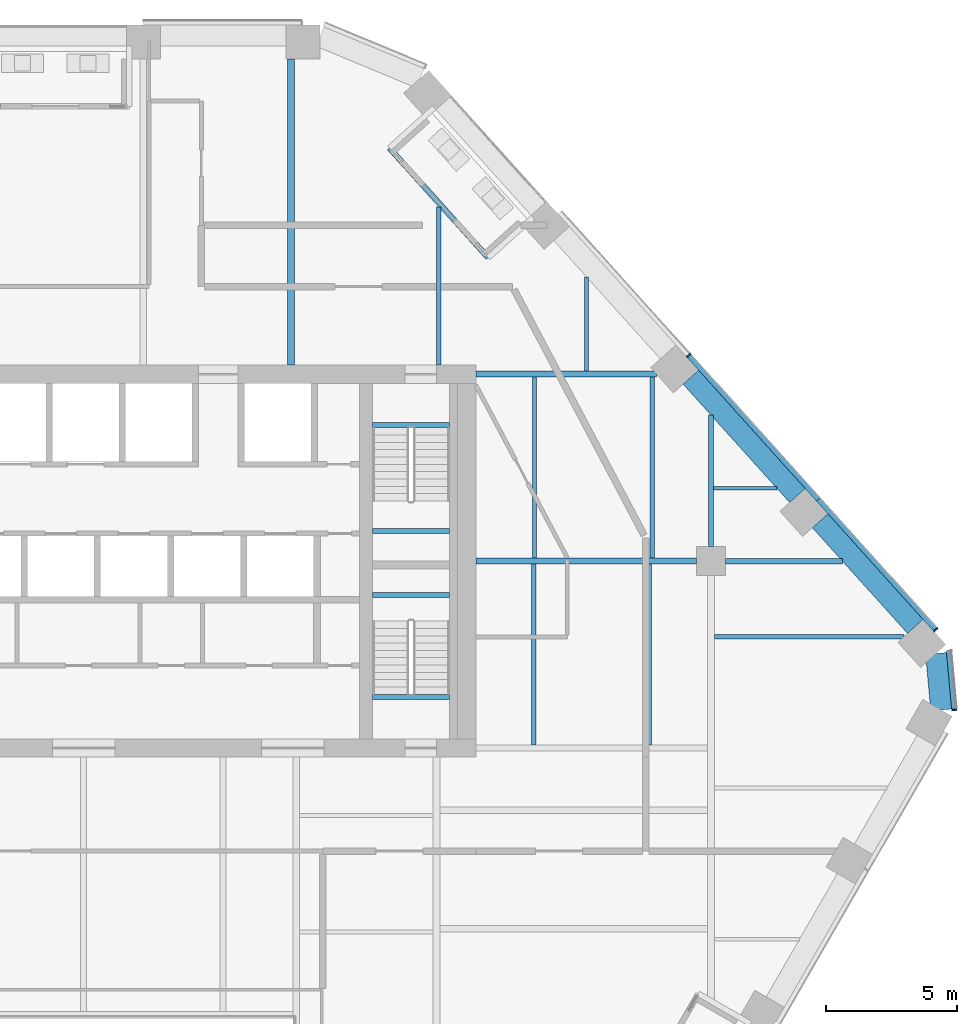
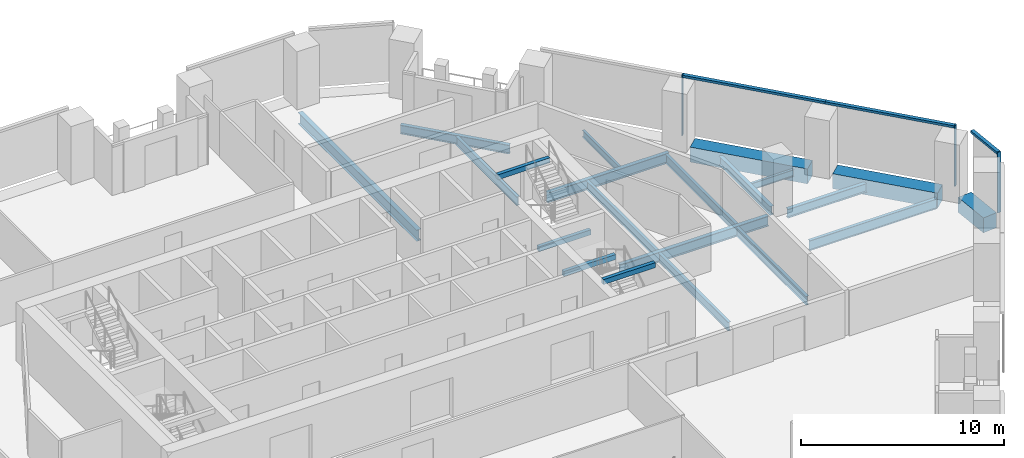
# One storey, part 9 of 25: 21 beams, 6 members, 2 elements without a shape of their own.
"""IFC4 building model written with IfcOpenShell, lengths in metres."""

from ifc_helpers import new_model, si_unit, direction, frame, origin, origin_2d, place, context, subcontext, project, spatial, rectangle, i_section, extrude, material, layer, layer_set, material_profile, profile_set, type_object, element, aggregate, save


model = new_model("IFC4")

# Units and contexts
model_context = context("Model", 3, precision=1e-05, world=origin(), true_north=direction((0.0, 1.0)))
body_context = subcontext(model_context, "Body", "Model", "MODEL_VIEW")
ifc_project = project(units=[si_unit("LENGTHUNIT", "METRE"), si_unit("AREAUNIT", "SQUARE_METRE"), si_unit("VOLUMEUNIT", "CUBIC_METRE"), si_unit("PLANEANGLEUNIT", "RADIAN"), si_unit("MASSUNIT", "GRAM", prefix="KILO")], contexts=[model_context])

# Site, building, storey
site_placement = place(None, origin())
site = spatial("IfcSite", under=ifc_project, at=site_placement, CompositionType="ELEMENT")
building_placement = place(site_placement, origin())
building = spatial("IfcBuilding", under=site, at=building_placement, Name="Isthmus Gate Tower", CompositionType="ELEMENT")
storey_placement = place(building_placement, frame((0.0, 0.0, 174.449951171875)))
storey = spatial("IfcBuildingStorey", under=building, at=storey_placement, Name="L43", CompositionType="ELEMENT", Elevation=174.449951171875)

# Curtain wall, member
ifc_material_1 = material(Name="Aluminium, pale champagne anodised", Category="aluminium")
ifc_layer = layer(ifc_material_1, 0.199951171875)
ifc_layer_set = layer_set([ifc_layer], Name="CW-1 UNITISED CURTAIN WALL 200 DEEP")
curtain_wall_type = type_object("IfcCurtainWallType", Name="CW-1 UNITISED CURTAIN WALL 200 DEEP", PredefinedType="NOTDEFINED", material=ifc_layer_set)
curtain_wall_1_placement = place(storey_placement, origin())
curtain_wall_1 = element("IfcCurtainWall", 1, at=curtain_wall_1_placement, inside=storey, type_object=curtain_wall_type, Name="CW-1 SE-NE L43", PredefinedType="NOTDEFINED")
ifc_material_2 = material(Name="Aluminium, pale champagne anodised", Category="aluminium")
ifc_material_profile_1 = material_profile(ifc_material_2, rectangle(XDim=0.06005859375, YDim=0.199951171875, at=origin_2d()), Name="60x200")
ifc_profile_set_1 = profile_set([ifc_material_profile_1], Name="Aluminium, pale champagne anodised")
member_type_1 = type_object("IfcMemberType", Name="CW-1 MULLION 60 X 200", PredefinedType="MULLION", material=ifc_profile_set_1)
member_1_placement = place(storey_placement, frame((33.307861328125, 1.804443359375, 0.0), z_axis=(0.0, 0.0, 1.0), x_axis=(-0.089396669717, 0.995996102123, 0.0)))
member_1 = element("IfcMember", 2, at=member_1_placement, type_object=member_type_1, Name="CW-1 mullion", PredefinedType="MULLION", context=body_context, shape_type="SweptSolid", body=[
    extrude(rectangle(XDim=0.06005859375, YDim=0.199951171875, at=origin_2d()), origin(), (0.0, 0.0, 1.0), 3.650146484375),
])

# Curtain wall, members
curtain_wall_2_placement = place(storey_placement, origin())
curtain_wall_2 = element("IfcCurtainWall", 3, at=curtain_wall_2_placement, inside=storey, type_object=curtain_wall_type, Name="CW-1 NE L43", PredefinedType="NOTDEFINED")
member_2_placement = place(storey_placement, frame((32.602783203125, 4.871337890625, 0.0), z_axis=(0.0, 0.0, 1.0), x_axis=(-0.669130606359, 0.743144825477, 0.0)))
member_2 = element("IfcMember", 4, at=member_2_placement, type_object=member_type_1, Name="CW-1 mullion", PredefinedType="MULLION", context=body_context, shape_type="SweptSolid", body=[
    extrude(rectangle(XDim=0.06005859375, YDim=0.199951171875, at=origin_2d()), origin(), (0.0, 0.0, 1.0), 3.650146484375),
])
member_3_placement = place(storey_placement, frame((23.14697265625, 15.373046875, 0.0), z_axis=(0.0, 0.0, 1.0), x_axis=(-0.669130606359, 0.743144825477, 0.0)))
member_3 = element("IfcMember", 5, at=member_3_placement, type_object=member_type_1, Name="CW-1 mullion", PredefinedType="MULLION", context=body_context, shape_type="SweptSolid", body=[
    extrude(rectangle(XDim=0.06005859375, YDim=0.199951171875, at=origin_2d()), origin(), (0.0, 0.0, 1.0), 3.650146484375),
])

# Member
ifc_material_3 = material(Name="Aluminium, pale champagne anodised", Category="aluminium")
ifc_material_profile_2 = material_profile(ifc_material_3, rectangle(XDim=0.199951171875, YDim=0.139892578125, at=origin_2d()), Name="200x140")
ifc_profile_set_2 = profile_set([ifc_material_profile_2], Name="Aluminium, pale champagne anodised")
member_type_2 = type_object("IfcMemberType", Name="CW-1 TRANSOM 200 X 140", PredefinedType="USERDEFINED", material=ifc_profile_set_2)
member_4_placement = place(storey_placement, frame((33.30517578125, 1.83447265625, 3.580078125), z_axis=(-0.089395362867, 0.995996219419, 0.0), x_axis=(-0.995996219419, -0.089395362867, 0.0)))
member_4 = element("IfcMember", 6, at=member_4_placement, type_object=member_type_2, Name="CW-1 transom", ObjectType="TRANSOM", PredefinedType="USERDEFINED", context=body_context, shape_type="SweptSolid", body=[
    extrude(rectangle(XDim=0.199951171875, YDim=0.139892578125, at=origin_2d()), origin(), (0.0, 0.0, 1.0), 2.258544921875),
])

aggregate(curtain_wall_1, [member_1, member_4])

member_5_placement = place(storey_placement, frame((32.582763671875, 4.8935546875, 3.580078125), z_axis=(-0.669138342957, 0.74313785934, 0.0), x_axis=(-0.74313785934, -0.669138342957, 0.0)))
member_5 = element("IfcMember", 7, at=member_5_placement, type_object=member_type_2, Name="CW-1 transom", ObjectType="TRANSOM", PredefinedType="USERDEFINED", context=body_context, shape_type="SweptSolid", body=[
    extrude(rectangle(XDim=0.199951171875, YDim=0.139892578125, at=origin_2d()), origin(), (0.0, 0.0, 1.0), 6.680908203125),
])

member_6_placement = place(storey_placement, frame((28.1123046875, 9.8583984375, 3.580078125), z_axis=(-0.669123495435, 0.74315122812, 0.0), x_axis=(-0.74315122812, -0.669123495435, 0.0)))
member_6 = element("IfcMember", 8, at=member_6_placement, type_object=member_type_2, Name="CW-1 transom", ObjectType="TRANSOM", PredefinedType="USERDEFINED", context=body_context, shape_type="SweptSolid", body=[
    extrude(rectangle(XDim=0.199951171875, YDim=0.139892578125, at=origin_2d()), origin(), (0.0, 0.0, 1.0), 7.390625),
])

aggregate(curtain_wall_2, [member_2, member_5, member_6, member_3])

# Beams
ifc_material_4 = material(Name="Concrete f'c 60 MPa", Category="concrete")
ifc_material_profile_3 = material_profile(ifc_material_4, rectangle(XDim=0.800048828125, YDim=0.89990234375, at=origin_2d()), Name="RC 800X900")
ifc_profile_set_3 = profile_set([ifc_material_profile_3], Name="Concrete f'c 60 MPa")
beam_type_1 = type_object("IfcBeamType", Name="RC SPANDREL 800 X 900", PredefinedType="SPANDREL", material=ifc_profile_set_3)
beam_1_placement = place(storey_placement, frame((23.230224609375, 14.533203125, -0.449951171875), z_axis=(0.669141874065, -0.743134679835, 0.0), x_axis=(0.743134679835, 0.669141874065, 0.0)))
element("IfcBeam", 9, at=beam_1_placement, inside=storey, type_object=beam_type_1, Name="str-spandrel-L43-03", PredefinedType="SPANDREL", context=body_context, shape_type="SweptSolid", body=[
    extrude(rectangle(XDim=0.800048828125, YDim=0.89990234375, at=origin_2d()), origin(), (0.0, 0.0, 1.0), 6.0908203125),
])
beam_2_placement = place(storey_placement, frame((28.17578125, 9.040771484375, -0.449951171875), z_axis=(0.669140732593, -0.74313570765, 0.0), x_axis=(0.74313570765, 0.669140732593, 0.0)))
element("IfcBeam", 10, at=beam_2_placement, inside=storey, type_object=beam_type_1, Name="str-spandrel-L43-04", PredefinedType="SPANDREL", context=body_context, shape_type="SweptSolid", body=[
    extrude(rectangle(XDim=0.800048828125, YDim=0.89990234375, at=origin_2d()), origin(), (0.0, 0.0, 1.0), 5.440673828125),
])
beam_3_placement = place(storey_placement, frame((32.61181640625, 3.964599609375, -0.449951171875), z_axis=(0.089421511639, -0.995993872098, 0.0), x_axis=(0.995993872098, 0.089421511639, 0.0)))
element("IfcBeam", 11, at=beam_3_placement, inside=storey, type_object=beam_type_1, Name="str-spandrel-L43-05", PredefinedType="SPANDREL", context=body_context, shape_type="SweptSolid", body=[
    extrude(rectangle(XDim=0.800048828125, YDim=0.89990234375, at=origin_2d()), origin(), (0.0, 0.0, 1.0), 2.17333984375),
])
ifc_material_5 = material(Name="Concrete f'c 40 MPa", Category="concrete")
ifc_material_profile_4 = material_profile(ifc_material_5, rectangle(XDim=0.199951171875, YDim=0.300048828125, at=origin_2d()), Name="STAIR LANDING BEAM RC 200 X 300")
ifc_profile_set_4 = profile_set([ifc_material_profile_4], Name="Concrete f'c 40 MPa")
beam_type_2 = type_object("IfcBeamType", Name="STAIR LANDING BEAM RC 200 X 300", PredefinedType="BEAM", material=ifc_profile_set_4)
for number, where, z_axis, x_axis, name in (
    (12, (11.050048828125, 8.64990234375, 1.47509765625), (1.0, 0.0, 0.0), (0.0, 1.0, 0.0), "L43 ST2 landing beam 1"),
    (13, (11.050048828125, 12.7001953125, 3.35009765625), (1.0, 0.0, 0.0), (0.0, 1.0, 0.0), "L43 ST2 floor-edge seat beam"),
    (14, (11.050048828125, 6.199951171875, 1.47509765625), (1.0, 0.0, 0.0), (0.0, 1.0, 0.0), "L43 ST8 landing beam 1"),
    (15, (11.050048828125, 2.2998046875, 3.35009765625), (1.0, 0.0, 0.0), (0.0, 1.0, 0.0), "L43 ST8 floor-edge seat beam"),
):
    element("IfcBeam", number, at=place(storey_placement, frame(where, z_axis=z_axis, x_axis=x_axis)), inside=storey, type_object=beam_type_2, Name=name, PredefinedType="BEAM", context=body_context, shape_type="SweptSolid", body=[
        extrude(rectangle(XDim=0.199951171875, YDim=0.300048828125, at=origin_2d()), origin(), (0.0, 0.0, 1.0), 2.949951171875),
    ])
ifc_material_6 = material(Name="Structural steel ASTM A992 Gr 50", Category="steel")
ifc_material_profile_5 = material_profile(ifc_material_6, i_section(OverallWidth=0.1396484375, OverallDepth=0.4033203125, WebThickness=0.00634765625, FlangeThickness=0.010986328125, at=origin_2d()), Name="W16X31")
ifc_profile_set_5 = profile_set([ifc_material_profile_5], Name="Structural steel ASTM A992 Gr 50")
beam_type_3 = type_object("IfcBeamType", Name="STEEL FLOOR BEAM W16X31", PredefinedType="JOIST", material=ifc_profile_set_5)
beam_4_placement = place(storey_placement, frame((19.23681640625, 14.764404296875, -0.3515625), z_axis=(0.0, 1.0, 0.0), x_axis=(-1.0, 0.0, 0.0)))
element("IfcBeam", 16, at=beam_4_placement, inside=storey, type_object=beam_type_3, Name="str-beam-L43-07-07", PredefinedType="JOIST", context=body_context, shape_type="SweptSolid", body=[
    extrude(i_section(OverallWidth=0.1396484375, OverallDepth=0.4033203125, WebThickness=0.00634765625, FlangeThickness=0.010986328125, at=origin_2d()), origin(), (0.0, 0.0, 1.0), 3.6064453125),
])
beam_5_placement = place(storey_placement, frame((24.104736328125, 10.284423828125, -0.3515625), z_axis=(1.0, 0.0, 0.0), x_axis=(0.0, 1.0, 0.0)))
element("IfcBeam", 17, at=beam_5_placement, inside=storey, type_object=beam_type_3, Name="str-beam-L43-20-00", PredefinedType="JOIST", context=body_context, shape_type="SweptSolid", body=[
    extrude(i_section(OverallWidth=0.1396484375, OverallDepth=0.4033203125, WebThickness=0.00634765625, FlangeThickness=0.010986328125, at=origin_2d()), origin(), (0.0, 0.0, 1.0), 2.412841796875),
])
ifc_material_7 = material(Name="Structural steel ASTM A992 Gr 50", Category="steel")
ifc_material_profile_6 = material_profile(ifc_material_7, i_section(OverallWidth=0.1650390625, OverallDepth=0.52392578125, WebThickness=0.009521484375, FlangeThickness=0.010986328125, at=origin_2d()), Name="W21X44")
ifc_profile_set_6 = profile_set([ifc_material_profile_6], Name="Structural steel ASTM A992 Gr 50")
beam_type_4 = type_object("IfcBeamType", Name="STEEL FLOOR BEAM W21X44", PredefinedType="JOIST", material=ifc_profile_set_6)
beam_6_placement = place(storey_placement, frame((13.583984375, 15.0, -0.411865234375), z_axis=(0.0, 1.0, 0.0), x_axis=(-1.0, 0.0, 0.0)))
element("IfcBeam", 18, at=beam_6_placement, inside=storey, type_object=beam_type_4, Name="str-beam-L43-07-06", PredefinedType="JOIST", context=body_context, shape_type="SweptSolid", body=[
    extrude(i_section(OverallWidth=0.1650390625, OverallDepth=0.52392578125, WebThickness=0.009521484375, FlangeThickness=0.010986328125, at=origin_2d()), origin(), (0.0, 0.0, 1.0), 6.0478515625),
])
for number, where, z_axis, x_axis, name in (
    (19, (17.25, 7.6142578125, -0.411865234375), (0.0, 1.0, 0.0), (-1.0, 0.0, 0.0), "str-beam-L43-17-00"),
    (20, (21.75, 7.6142578125, -0.411865234375), (0.0, 1.0, 0.0), (-1.0, 0.0, 0.0), "str-beam-L43-17-01"),
    (21, (17.216552734375, 0.46435546875, -0.411865234375), (0.0, 1.0, 0.0), (-1.0, 0.0, 0.0), "str-beam-L43-18-00"),
    (22, (21.64990234375, 0.46435546875, -0.411865234375), (0.0, 1.0, 0.0), (-1.0, 0.0, 0.0), "str-beam-L43-18-01"),
):
    element("IfcBeam", number, at=place(storey_placement, frame(where, z_axis=z_axis, x_axis=x_axis)), inside=storey, type_object=beam_type_4, Name=name, PredefinedType="JOIST", context=body_context, shape_type="SweptSolid", body=[
        extrude(i_section(OverallWidth=0.1650390625, OverallDepth=0.52392578125, WebThickness=0.009521484375, FlangeThickness=0.010986328125, at=origin_2d()), origin(), (0.0, 0.0, 1.0), 6.92138671875),
    ])
ifc_material_8 = material(Name="Structural steel ASTM A992 Gr 50", Category="steel")
ifc_material_profile_7 = material_profile(ifc_material_8, i_section(OverallWidth=0.177734375, OverallDepth=0.60009765625, WebThickness=0.009521484375, FlangeThickness=0.0126953125, at=origin_2d()), Name="W24X55")
ifc_profile_set_7 = profile_set([ifc_material_profile_7], Name="Structural steel ASTM A992 Gr 50")
beam_type_5 = type_object("IfcBeamType", Name="STEEL FLOOR BEAM W24X55", PredefinedType="JOIST", material=ifc_profile_set_7)
beam_7_placement = place(storey_placement, frame((24.13330078125, 4.60546875, -0.449951171875), z_axis=(1.0, 0.0, 0.0), x_axis=(0.0, 1.0, 0.0)))
element("IfcBeam", 23, at=beam_7_placement, inside=storey, type_object=beam_type_5, Name="str-beam-L43-21-02", PredefinedType="JOIST", context=body_context, shape_type="SweptSolid", body=[
    extrude(i_section(OverallWidth=0.177734375, OverallDepth=0.60009765625, WebThickness=0.009521484375, FlangeThickness=0.0126953125, at=origin_2d()), origin(), (0.0, 0.0, 1.0), 7.24755859375),
])
ifc_material_9 = material(Name="Structural steel ASTM A992 Gr 50", Category="steel")
ifc_material_profile_8 = material_profile(ifc_material_9, i_section(OverallWidth=0.25390625, OverallDepth=0.679443359375, WebThickness=0.010986328125, FlangeThickness=0.015869140625, at=origin_2d()), Name="W27X84")
ifc_profile_set_8 = profile_set([ifc_material_profile_8], Name="Structural steel ASTM A992 Gr 50")
beam_type_6 = type_object("IfcBeamType", Name="STEEL FLOOR BEAM W27X84", PredefinedType="JOIST", material=ifc_profile_set_8)
beam_8_placement = place(storey_placement, frame((7.93115234375, 15.0, -0.48974609375), z_axis=(0.0, 1.0, 0.0), x_axis=(-1.0, 0.0, 0.0)))
element("IfcBeam", 24, at=beam_8_placement, inside=storey, type_object=beam_type_6, Name="str-beam-L43-07-05", PredefinedType="JOIST", context=body_context, shape_type="SweptSolid", body=[
    extrude(i_section(OverallWidth=0.25390625, OverallDepth=0.679443359375, WebThickness=0.010986328125, FlangeThickness=0.015869140625, at=origin_2d()), origin(), (0.0, 0.0, 1.0), 11.699951171875),
])
ifc_material_10 = material(Name="Structural steel ASTM A992 Gr 50", Category="steel")
ifc_material_profile_9 = material_profile(ifc_material_10, i_section(OverallWidth=0.20947265625, OverallDepth=0.533447265625, WebThickness=0.009521484375, FlangeThickness=0.015869140625, at=origin_2d()), Name="W21X62")
ifc_profile_set_9 = profile_set([ifc_material_profile_9], Name="Structural steel ASTM A992 Gr 50")
beam_type_7 = type_object("IfcBeamType", Name="STEEL GIRDER W21X62", PredefinedType="BEAM", material=ifc_profile_set_9)
beam_9_placement = place(storey_placement, frame((24.550048828125, 7.5, -0.416748046875), z_axis=(1.0, 0.0, 0.0), x_axis=(0.0, 1.0, 0.0)))
element("IfcBeam", 25, at=beam_9_placement, inside=storey, type_object=beam_type_7, Name="str-girder-L43-06", PredefinedType="BEAM", context=body_context, shape_type="SweptSolid", body=[
    extrude(i_section(OverallWidth=0.20947265625, OverallDepth=0.533447265625, WebThickness=0.009521484375, FlangeThickness=0.015869140625, at=origin_2d()), origin(), (0.0, 0.0, 1.0), 4.474853515625),
])
beam_10_placement = place(storey_placement, frame((24.0, 8.050048828125, -0.416748046875), z_axis=(0.0, 1.0, 0.0), x_axis=(-1.0, 0.0, 0.0)))
element("IfcBeam", 26, at=beam_10_placement, inside=storey, type_object=beam_type_7, Name="str-girder-L43-12", PredefinedType="BEAM", context=body_context, shape_type="SweptSolid", body=[
    extrude(i_section(OverallWidth=0.20947265625, OverallDepth=0.533447265625, WebThickness=0.009521484375, FlangeThickness=0.015869140625, at=origin_2d()), origin(), (0.0, 0.0, 1.0), 5.030517578125),
])
ifc_material_11 = material(Name="Structural steel ASTM A992 Gr 50", Category="steel")
ifc_material_profile_10 = material_profile(ifc_material_11, i_section(OverallWidth=0.228515625, OverallDepth=0.603271484375, WebThickness=0.010986328125, FlangeThickness=0.014404296875, at=origin_2d()), Name="W24X68")
ifc_profile_set_10 = profile_set([ifc_material_profile_10], Name="Structural steel ASTM A992 Gr 50")
beam_type_8 = type_object("IfcBeamType", Name="STEEL GIRDER W24X68", PredefinedType="BEAM", material=ifc_profile_set_10)
beam_11_placement = place(storey_placement, frame((15.0, 14.64990234375, -0.45166015625), z_axis=(1.0, 0.0, 0.0), x_axis=(0.0, 1.0, 0.0)))
element("IfcBeam", 27, at=beam_11_placement, inside=storey, type_object=beam_type_8, Name="str-girder-L43-16", PredefinedType="BEAM", context=body_context, shape_type="SweptSolid", body=[
    extrude(i_section(OverallWidth=0.228515625, OverallDepth=0.603271484375, WebThickness=0.010986328125, FlangeThickness=0.014404296875, at=origin_2d()), origin(), (0.0, 0.0, 1.0), 6.9140625),
])
ifc_material_12 = material(Name="Structural steel ASTM A992 Gr 50", Category="steel")
ifc_material_profile_11 = material_profile(ifc_material_12, i_section(OverallWidth=0.228515625, OverallDepth=0.6064453125, WebThickness=0.010986328125, FlangeThickness=0.017578125, at=origin_2d()), Name="W24X76")
ifc_profile_set_11 = profile_set([ifc_material_profile_11], Name="Structural steel ASTM A992 Gr 50")
beam_type_9 = type_object("IfcBeamType", Name="STEEL GIRDER W24X76", PredefinedType="BEAM", material=ifc_profile_set_11)
beam_12_placement = place(storey_placement, frame((15.0, 7.5, -0.453125), z_axis=(1.0, 0.0, 0.0), x_axis=(0.0, 1.0, 0.0)))
element("IfcBeam", 28, at=beam_12_placement, inside=storey, type_object=beam_type_9, Name="str-girder-L43-05", PredefinedType="BEAM", context=body_context, shape_type="SweptSolid", body=[
    extrude(i_section(OverallWidth=0.228515625, OverallDepth=0.6064453125, WebThickness=0.010986328125, FlangeThickness=0.017578125, at=origin_2d()), origin(), (0.0, 0.0, 1.0), 8.449951171875),
])
ifc_material_13 = material(Name="Structural steel ASTM A992 Gr 50", Category="steel")
ifc_material_profile_12 = material_profile(ifc_material_13, i_section(OverallWidth=0.20947265625, OverallDepth=0.533447265625, WebThickness=0.009521484375, FlangeThickness=0.015869140625, at=origin_2d()), Name="W21X62")
ifc_profile_set_12 = profile_set([ifc_material_profile_12], Name="Structural steel ASTM A992 Gr 50")
beam_type_10 = type_object("IfcBeamType", Name="STEEL TRIMMER W21X62", PredefinedType="BEAM", material=ifc_profile_set_12)
beam_13_placement = place(storey_placement, frame((15.47509765625, 19.10400390625, -0.416748046875), z_axis=(-0.669129433323, 0.743145881682, 0.0), x_axis=(-0.743145881682, -0.669129433323, 0.0)))
element("IfcBeam", 29, at=beam_13_placement, inside=storey, type_object=beam_type_10, Name="str-loggiatrim-L43-05-B", PredefinedType="BEAM", context=body_context, shape_type="SweptSolid", body=[
    extrude(i_section(OverallWidth=0.20947265625, OverallDepth=0.533447265625, WebThickness=0.009521484375, FlangeThickness=0.015869140625, at=origin_2d()), origin(), (0.0, 0.0, 1.0), 5.650390625),
])

save(model, "model.ifc")
